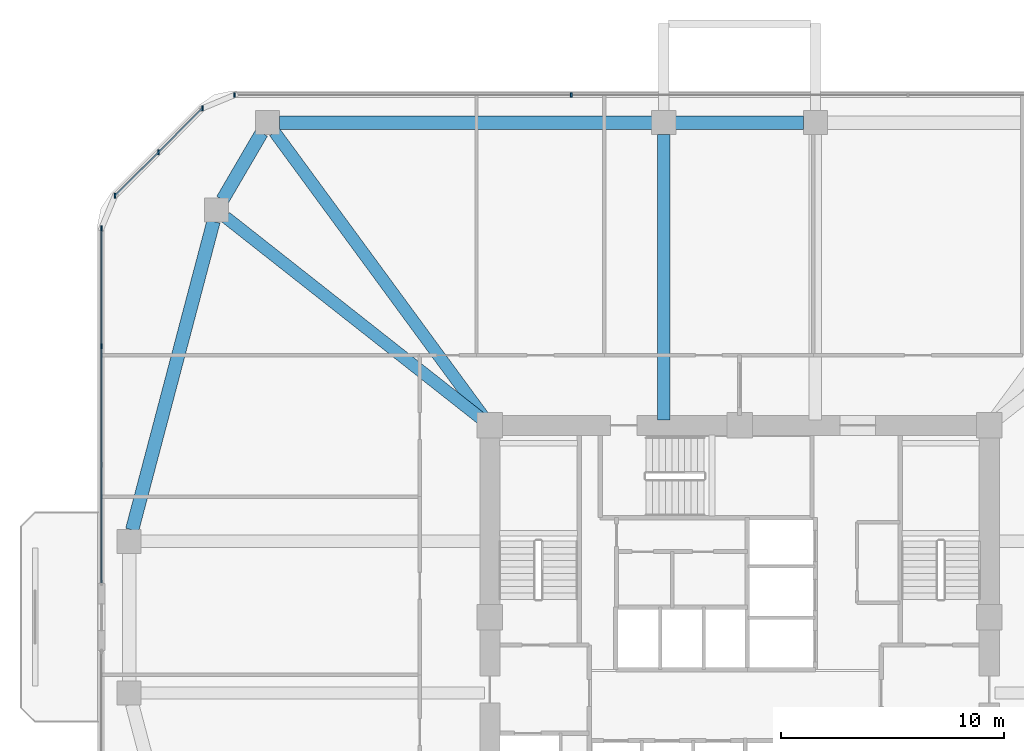
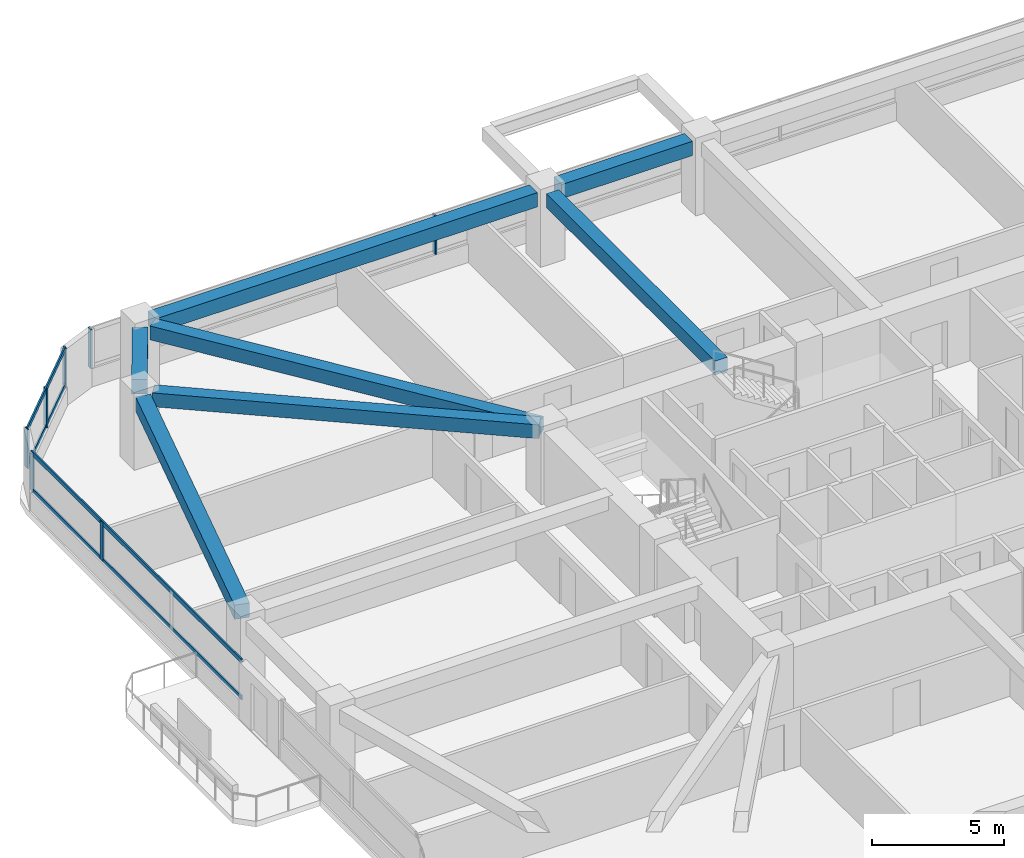
# One storey, part 6 of 15: 11 members, 7 beams, 3 elements without a shape of their own.
"""IFC4 building model written with IfcOpenShell, lengths in metres."""

import ifcopenshell
import ifcopenshell.guid

model = None  # the IFC model being written
_history = None  # IfcOwnerHistory: only IFC2X3 demands one
_inside = {}  # id of a spatial element -> (the spatial element, [elements in it])
_under = {}  # id of a project, library or spatial element -> (it, [spatial elements below it])
_declared = {}  # id of a project -> (the project, [libraries it declares])
_typed = {}  # id of a type object -> (the type object, [elements of that type])
_made_of = {}  # id of a material, layer set ... -> (it, [elements and type objects made of it])


def new_model(schema):
    """Start an empty IFC model of exactly this schema.

    Asked for "IFC4X3", IfcOpenShell would pick the latest addendum, in which some entities
    have other attributes; the version numbers below select the first issue.
    IFC2X3 requires an IfcOwnerHistory on every rooted entity: one is made here for all.
    """
    global model, _history
    if schema == "IFC4X3":
        model = ifcopenshell.file(schema_version=(4, 3, 0, 0))
    else:
        model = ifcopenshell.file(schema=schema)
    _inside.clear()
    _under.clear()
    _declared.clear()
    _typed.clear()
    _made_of.clear()
    _history = None
    if model.schema == "IFC2X3":
        org = make("IfcOrganization", Name="unknown")
        user = make(
            "IfcPersonAndOrganization",
            ThePerson=make("IfcPerson", FamilyName="unknown"),
            TheOrganization=org,
        )
        app = make(
            "IfcApplication",
            ApplicationDeveloper=org,
            Version="unknown",
            ApplicationFullName="unknown",
            ApplicationIdentifier="unknown",
        )
        _history = make(
            "IfcOwnerHistory",
            OwningUser=user,
            OwningApplication=app,
            ChangeAction="ADDED",
            CreationDate=0,
        )
    return model


def make(cls, **values):
    """One entity of the class cls with the attributes given. An attribute that is None is left unset."""
    return model.create_entity(
        cls, **{name: value for name, value in values.items() if value is not None}
    )


def rooted(cls, **values):
    """An entity with a GlobalId (a new one), such as an element, a storey or a relation."""
    return make(cls, GlobalId=ifcopenshell.guid.new(), OwnerHistory=_history, **values)


def si_unit(unit_type, name, prefix=None):
    """IfcSIUnit, for example si_unit("LENGTHUNIT", "METRE", prefix="MILLI")."""
    return make("IfcSIUnit", UnitType=unit_type, Prefix=prefix, Name=name)


def derived_unit(unit_type, elements):
    """IfcDerivedUnit: a product of units, each with its exponent."""
    return make(
        "IfcDerivedUnit",
        Elements=[
            make("IfcDerivedUnitElement", Unit=unit, Exponent=power)
            for unit, power in elements
        ],
        UnitType=unit_type,
    )


def assignment(units):
    """IfcUnitAssignment: the units of a project."""
    return None if units is None else make("IfcUnitAssignment", Units=units)


def point(xyz):
    """IfcCartesianPoint."""
    return None if xyz is None else make("IfcCartesianPoint", Coordinates=xyz)


def direction(xyz):
    """IfcDirection."""
    return None if xyz is None else make("IfcDirection", DirectionRatios=xyz)


def frame(location, z_axis=None, x_axis=None):
    """IfcAxis2Placement3D, a coordinate frame: its origin and axes. An axis left out is left unset."""
    return make(
        "IfcAxis2Placement3D",
        Location=point(location),
        Axis=direction(z_axis),
        RefDirection=direction(x_axis),
    )


def frame_2d(location, x_axis=None):
    """IfcAxis2Placement2D, a coordinate frame in the plane: its origin and x axis."""
    return make(
        "IfcAxis2Placement2D", Location=point(location), RefDirection=direction(x_axis)
    )


def origin():
    """The frame at (0, 0, 0) with its axes left unset."""
    return frame((0.0, 0.0, 0.0))


def origin_2d():
    """The frame at (0, 0) in the plane with its x axis left unset."""
    return frame_2d((0.0, 0.0))


def place(relative_to, where):
    """IfcLocalPlacement: puts the frame where relative to a parent placement (None: the world)."""
    return make(
        "IfcLocalPlacement", PlacementRelTo=relative_to, RelativePlacement=where
    )


def context(
    kind, dimensions, precision=None, world=None, true_north=None, identifier=None
):
    """IfcGeometricRepresentationContext, for example the 3D "Model" context."""
    return make(
        "IfcGeometricRepresentationContext",
        ContextIdentifier=identifier,
        ContextType=kind,
        CoordinateSpaceDimension=dimensions,
        Precision=precision,
        WorldCoordinateSystem=world,
        TrueNorth=true_north,
    )


def subcontext(parent, identifier, kind, view, scale=None):
    """IfcGeometricRepresentationSubContext, for example "Body" below "Model"."""
    return make(
        "IfcGeometricRepresentationSubContext",
        ContextIdentifier=identifier,
        ContextType=kind,
        ParentContext=parent,
        TargetScale=scale,
        TargetView=view,
    )


def project(units=None, contexts=None):
    """IfcProject with its units and contexts."""
    return rooted(
        "IfcProject",
        Name="project",
        RepresentationContexts=contexts,
        UnitsInContext=assignment(units),
    )


def spatial(cls, under=None, at=None, **own):
    """A site, building, storey or space (cls), placed at a placement, below another one or the project."""
    s = rooted(cls, ObjectPlacement=at, **own)
    if under is not None:
        _under.setdefault(under.id(), (under, []))[1].append(s)
    return s


def profile(cls, at=None, kind="AREA", **sizes):
    """A parametric profile (cls). Its sizes go by their IFC names, for example OverallWidth=200.0."""
    return make(cls, ProfileType=kind, Position=at, **sizes)


def rectangle(**sizes):
    """IfcRectangleProfileDef."""
    return profile("IfcRectangleProfileDef", **sizes)


def extrude(swept, where, along, depth):
    """IfcExtrudedAreaSolid: the profile swept, set in the frame where, extruded along a direction by depth."""
    return make(
        "IfcExtrudedAreaSolid",
        SweptArea=swept,
        Position=where,
        ExtrudedDirection=direction(along),
        Depth=depth,
    )


def shape(context_of_items, identifier, shape_type, items):
    """IfcShapeRepresentation: the items that make up one representation, for example the "Body"."""
    return make(
        "IfcShapeRepresentation",
        ContextOfItems=context_of_items,
        RepresentationIdentifier=identifier,
        RepresentationType=shape_type,
        Items=items,
    )


def material(Name=None, Category=None):
    """IfcMaterial."""
    return make("IfcMaterial", Name=Name, Category=Category)


def material_profile(
    of_material, cross_section, Name=None, Category=None, Priority=None
):
    """IfcMaterialProfile: a cross section and its material."""
    return make(
        "IfcMaterialProfile",
        Name=Name,
        Material=of_material,
        Profile=cross_section,
        Priority=Priority,
        Category=Category,
    )


def profile_set(profiles, Name=None, composite=None):
    """IfcMaterialProfileSet."""
    return make(
        "IfcMaterialProfileSet",
        Name=Name,
        MaterialProfiles=profiles,
        CompositeProfile=composite,
    )


def made_of(thing, what):
    """Note that an element or type object is made of a material, layer set ...; save() writes the relation."""
    if what is not None:
        _made_of.setdefault(what.id(), (what, []))[1].append(thing)
    return thing


def type_object(cls, material=None, **own):
    """A type object (cls), such as IfcWallType, which elements share."""
    return made_of(rooted(cls, **own), material)


def element(
    cls,
    number,
    at=None,
    inside=None,
    cuts=None,
    type_object=None,
    material=None,
    context=None,
    identifier="Body",
    shape_type=None,
    held_by="IfcProductDefinitionShape",
    body=None,
    shapes=None,
    **own,
):
    """One element of the class cls, such as IfcWall. Its Tag is "e" and its number.

    at: its placement. inside: the storey or other place that contains it. cuts: it is an
    opening in that element (IfcRelVoidsElement). A single representation is given by context,
    identifier, shape_type and body (its items); several are given by shapes. held_by: the class
    of the entity that holds the representations. save() writes the other relations.
    """
    e = rooted(cls, Tag="e%d" % number, ObjectPlacement=at, **own)
    if body is not None:
        shapes = [shape(context, identifier, shape_type, body)]
    if shapes is not None:
        e.Representation = make(held_by, Representations=shapes)
    if inside is not None:
        _inside.setdefault(inside.id(), (inside, []))[1].append(e)
    if cuts is not None:
        rooted(
            "IfcRelVoidsElement", RelatingBuildingElement=cuts, RelatedOpeningElement=e
        )
    if type_object is not None:
        _typed.setdefault(type_object.id(), (type_object, []))[1].append(e)
    return made_of(e, material)


def aggregate(whole, parts):
    """IfcRelAggregates: a whole, such as a stair, and the parts it consists of."""
    return rooted("IfcRelAggregates", RelatingObject=whole, RelatedObjects=parts)


def save(model, path):
    """Write the relations noted so far, then the file.

    IfcRelAggregates (storeys below a building ...), IfcRelContainedInSpatialStructure (elements
    in a storey), IfcRelDefinesByType, IfcRelAssociatesMaterial and IfcRelDeclares: one each for
    every whole, place, type object, material and project.
    """
    for whole, parts in _under.values():
        aggregate(whole, parts)
    for where, things in _inside.values():
        rooted(
            "IfcRelContainedInSpatialStructure",
            RelatedElements=things,
            RelatingStructure=where,
        )
    for kind, things in _typed.values():
        rooted("IfcRelDefinesByType", RelatedObjects=things, RelatingType=kind)
    for what, things in _made_of.values():
        rooted("IfcRelAssociatesMaterial", RelatedObjects=things, RelatingMaterial=what)
    for by, libraries in _declared.values():
        rooted("IfcRelDeclares", RelatingContext=by, RelatedDefinitions=libraries)
    model.write(path)


model = new_model("IFC4")

# Units and contexts
model_context = context("Model", 3, precision=1e-05, world=origin(), true_north=direction((0.0, 1.0)))
body_context = subcontext(model_context, "Body", "Model", "MODEL_VIEW")
ifc_project = project(units=[si_unit("LENGTHUNIT", "METRE"), si_unit("AREAUNIT", "SQUARE_METRE"), si_unit("VOLUMEUNIT", "CUBIC_METRE"), si_unit("PLANEANGLEUNIT", "RADIAN"), si_unit("MASSUNIT", "GRAM", prefix="KILO"), derived_unit("THERMALTRANSMITTANCEUNIT", [(si_unit("POWERUNIT", "WATT"), 1), (si_unit("LENGTHUNIT", "METRE"), -2), (si_unit("THERMODYNAMICTEMPERATUREUNIT", "KELVIN"), -1)])], contexts=[model_context])

# Site, building, storey
site_placement = place(None, origin())
site = spatial("IfcSite", under=ifc_project, at=site_placement, CompositionType="ELEMENT")
building_placement = place(site_placement, origin())
building = spatial("IfcBuilding", under=site, at=building_placement, Name="Koralith Skygarden Medical Center", CompositionType="ELEMENT")
storey_placement = place(building_placement, frame((0.0, 0.0, 56.340087890625)))
storey = spatial("IfcBuildingStorey", under=building, at=storey_placement, Name="L14", CompositionType="ELEMENT", Elevation=56.340087890625)

# Curtain wall, members
ifc_material_1 = material(Name="Clear Laminated Glass", Category="glass")
curtain_wall_type = type_object("IfcCurtainWallType", Name="CW-2 Zone 1 Hurricane Unitised Curtain Wall", PredefinedType="NOTDEFINED", material=ifc_material_1)
curtain_wall_1_placement = place(storey_placement, origin())
curtain_wall_1 = element("IfcCurtainWall", 1, at=curtain_wall_1_placement, inside=storey, type_object=curtain_wall_type, Name="Curtain Wall CW-L14-N", PredefinedType="NOTDEFINED")
ifc_material_2 = material(Name="Aluminium 6063-T6", Category="aluminium")
ifc_material_profile_1 = material_profile(ifc_material_2, rectangle(XDim=0.071044921875, YDim=0.219970703125, at=origin_2d()), Name="MUL71X220")
ifc_profile_set_1 = profile_set([ifc_material_profile_1], Name="Aluminium 6063-T6")
member_type_1 = type_object("IfcMemberType", Name="CW-2 Extruded Mullion 71x220", PredefinedType="MULLION", material=ifc_profile_set_1)
member_1_placement = place(storey_placement, frame((29.451904296875, 49.320068359375, 0.849853515625), z_axis=(0.0, 0.0, 1.0), x_axis=(1.0, 0.0, 0.0)))
member_1 = element("IfcMember", 2, at=member_1_placement, type_object=member_type_1, Name="CW-L14-N Mullion 3", PredefinedType="MULLION", context=body_context, shape_type="SweptSolid", body=[
    extrude(rectangle(XDim=0.071044921875, YDim=0.219970703125, at=origin_2d()), origin(), (0.0, 0.0, 1.0), 1.800048828125),
])
member_2_placement = place(storey_placement, frame((14.35498046875, 49.320068359375, 0.849853515625), z_axis=(0.0, 0.0, 1.0), x_axis=(1.0, 0.0, 0.0)))
member_2 = element("IfcMember", 3, at=member_2_placement, type_object=member_type_1, Name="CW-L14-N Mullion 4", PredefinedType="MULLION", context=body_context, shape_type="SweptSolid", body=[
    extrude(rectangle(XDim=0.071044921875, YDim=0.219970703125, at=origin_2d()), origin(), (0.0, 0.0, 1.0), 1.800048828125),
])
aggregate(curtain_wall_1, [member_1, member_2])

curtain_wall_2_placement = place(storey_placement, origin())
curtain_wall_2 = element("IfcCurtainWall", 4, at=curtain_wall_2_placement, inside=storey, type_object=curtain_wall_type, Name="Curtain Wall CW-L14-NW", PredefinedType="NOTDEFINED")
member_3_placement = place(storey_placement, frame((12.904052734375, 48.718994140625, 0.849853515625), z_axis=(0.0, 0.0, 1.0), x_axis=(1.0, 0.0, 0.0)))
member_3 = element("IfcMember", 5, at=member_3_placement, type_object=member_type_1, Name="CW-L14-NW Mullion 1", PredefinedType="MULLION", context=body_context, shape_type="SweptSolid", body=[
    extrude(rectangle(XDim=0.071044921875, YDim=0.219970703125, at=origin_2d()), origin(), (0.0, 0.0, 1.0), 1.800048828125),
])
member_4_placement = place(storey_placement, frame((10.94189453125, 46.758056640625, 0.849853515625), z_axis=(0.0, 0.0, 1.0), x_axis=(1.0, 0.0, 0.0)))
member_4 = element("IfcMember", 6, at=member_4_placement, type_object=member_type_1, Name="CW-L14-NW Mullion 2", PredefinedType="MULLION", context=body_context, shape_type="SweptSolid", body=[
    extrude(rectangle(XDim=0.071044921875, YDim=0.219970703125, at=origin_2d()), origin(), (0.0, 0.0, 1.0), 1.800048828125),
])
member_5_placement = place(storey_placement, frame((8.98095703125, 44.7958984375, 0.849853515625), z_axis=(0.0, 0.0, 1.0), x_axis=(1.0, 0.0, 0.0)))
member_5 = element("IfcMember", 7, at=member_5_placement, type_object=member_type_1, Name="CW-L14-NW Mullion 3", PredefinedType="MULLION", context=body_context, shape_type="SweptSolid", body=[
    extrude(rectangle(XDim=0.071044921875, YDim=0.219970703125, at=origin_2d()), origin(), (0.0, 0.0, 1.0), 1.800048828125),
])

curtain_wall_3_placement = place(storey_placement, origin())
curtain_wall_3 = element("IfcCurtainWall", 8, at=curtain_wall_3_placement, inside=storey, type_object=curtain_wall_type, Name="Curtain Wall CW-L14-W-L", PredefinedType="NOTDEFINED")
member_6_placement = place(storey_placement, frame((8.3798828125, 43.344970703125, 0.849853515625), z_axis=(0.0, 0.0, 1.0), x_axis=(1.0, 0.0, 0.0)))
member_6 = element("IfcMember", 9, at=member_6_placement, type_object=member_type_1, Name="CW-L14-W-L Mullion 1", PredefinedType="MULLION", context=body_context, shape_type="SweptSolid", body=[
    extrude(rectangle(XDim=0.071044921875, YDim=0.219970703125, at=origin_2d()), origin(), (0.0, 0.0, 1.0), 1.800048828125),
])
member_7_placement = place(storey_placement, frame((8.3798828125, 38.04296875, 0.849853515625), z_axis=(0.0, 0.0, 1.0), x_axis=(1.0, 0.0, 0.0)))
member_7 = element("IfcMember", 10, at=member_7_placement, type_object=member_type_1, Name="CW-L14-W-L Mullion 2", PredefinedType="MULLION", context=body_context, shape_type="SweptSolid", body=[
    extrude(rectangle(XDim=0.071044921875, YDim=0.219970703125, at=origin_2d()), origin(), (0.0, 0.0, 1.0), 1.800048828125),
])

# Member
ifc_material_profile_2 = material_profile(ifc_material_2, rectangle(XDim=0.06591796875, YDim=0.197998046875, at=origin_2d()), Name="TRN66X198")
ifc_profile_set_2 = profile_set([ifc_material_profile_2], Name="Aluminium 6063-T6")
member_type_2 = type_object("IfcMemberType", Name="CW-2 Thermal Transom 66x198", PredefinedType="USERDEFINED", material=ifc_profile_set_2)
member_8_placement = place(storey_placement, frame((12.904052734375, 48.718994140625, 0.89990234375), z_axis=(-0.707106781187, -0.707106781187, 0.0), x_axis=(0.707106781187, -0.707106781187, 0.0)))
member_8 = element("IfcMember", 11, at=member_8_placement, type_object=member_type_2, Name="CW-L14-NW Transom 1", ObjectType="TRANSOM", PredefinedType="USERDEFINED", context=body_context, shape_type="SweptSolid", body=[
    extrude(rectangle(XDim=0.06591796875, YDim=0.197998046875, at=origin_2d()), origin(), (0.0, 0.0, 1.0), 5.548095703125),
])

member_9_placement = place(storey_placement, frame((12.904052734375, 48.718994140625, 2.599853515625), z_axis=(-0.707106781187, -0.707106781187, 0.0), x_axis=(0.707106781187, -0.707106781187, 0.0)))
member_9 = element("IfcMember", 12, at=member_9_placement, type_object=member_type_2, Name="CW-L14-NW Transom 2", ObjectType="TRANSOM", PredefinedType="USERDEFINED", context=body_context, shape_type="SweptSolid", body=[
    extrude(rectangle(XDim=0.06591796875, YDim=0.197998046875, at=origin_2d()), origin(), (0.0, 0.0, 1.0), 5.548095703125),
])

aggregate(curtain_wall_2, [member_3, member_4, member_5, member_8, member_9])

member_10_placement = place(storey_placement, frame((8.3798828125, 43.344970703125, 0.89990234375), z_axis=(0.0, -1.0, 0.0), x_axis=(1.0, 0.0, 0.0)))
member_10 = element("IfcMember", 13, at=member_10_placement, type_object=member_type_2, Name="CW-L14-W-L Transom 1", ObjectType="TRANSOM", PredefinedType="USERDEFINED", context=body_context, shape_type="SweptSolid", body=[
    extrude(rectangle(XDim=0.06591796875, YDim=0.197998046875, at=origin_2d()), origin(), (0.0, 0.0, 1.0), 15.905029296875),
])

member_11_placement = place(storey_placement, frame((8.3798828125, 43.344970703125, 2.599853515625), z_axis=(0.0, -1.0, 0.0), x_axis=(1.0, 0.0, 0.0)))
member_11 = element("IfcMember", 14, at=member_11_placement, type_object=member_type_2, Name="CW-L14-W-L Transom 2", ObjectType="TRANSOM", PredefinedType="USERDEFINED", context=body_context, shape_type="SweptSolid", body=[
    extrude(rectangle(XDim=0.06591796875, YDim=0.197998046875, at=origin_2d()), origin(), (0.0, 0.0, 1.0), 15.905029296875),
])

aggregate(curtain_wall_3, [member_6, member_7, member_10, member_11])

# Beams
ifc_material_3 = material(Name="Concrete C45/55", Category="concrete")
ifc_material_profile_3 = material_profile(ifc_material_3, rectangle(XDim=0.550048828125, YDim=0.639892578125, at=origin_2d()), Name="RCB550X640")
ifc_profile_set_3 = profile_set([ifc_material_profile_3], Name="Concrete C45/55")
beam_type_1 = type_object("IfcBeamType", Name="Radial Collector Beam RCB550X640", PredefinedType="BEAM", material=ifc_profile_set_3)
beam_1_placement = place(storey_placement, frame((33.60009765625, 34.75, 3.0), z_axis=(0.0, 1.0, 0.0), x_axis=(-1.0, 0.0, 0.0)))
element("IfcBeam", 15, at=beam_1_placement, inside=storey, type_object=beam_type_1, Name="L14 Radial Collector Beam RB-13", PredefinedType="BEAM", context=body_context, shape_type="SweptSolid", body=[
    extrude(rectangle(XDim=0.550048828125, YDim=0.639892578125, at=origin_2d()), origin(), (0.0, 0.0, 1.0), 12.800048828125),
])
beam_2_placement = place(storey_placement, frame((25.652099609375, 34.701904296875, 3.0), z_axis=(-0.591710803277, 0.806150311843, 0.0), x_axis=(-0.806150311843, -0.591710803277, 0.0)))
element("IfcBeam", 16, at=beam_2_placement, inside=storey, type_object=beam_type_1, Name="L14 Radial Collector Beam RB-14", PredefinedType="BEAM", context=body_context, shape_type="SweptSolid", body=[
    extrude(rectangle(XDim=0.550048828125, YDim=0.639892578125, at=origin_2d()), origin(), (0.0, 0.0, 1.0), 16.0654296875),
])
beam_3_placement = place(storey_placement, frame((25.60400390625, 34.655029296875, 3.0), z_axis=(-0.785497250365, 0.618865146594, 0.0), x_axis=(-0.618865146594, -0.785497250365, 0.0)))
element("IfcBeam", 17, at=beam_3_placement, inside=storey, type_object=beam_type_1, Name="L14 Radial Collector Beam RB-15", PredefinedType="BEAM", context=body_context, shape_type="SweptSolid", body=[
    extrude(rectangle(XDim=0.550048828125, YDim=0.639892578125, at=origin_2d()), origin(), (0.0, 0.0, 1.0), 14.828857421875),
])
ifc_material_profile_4 = material_profile(ifc_material_3, rectangle(XDim=0.60009765625, YDim=0.659912109375, at=origin_2d()), Name="RCB600X660")
ifc_profile_set_4 = profile_set([ifc_material_profile_4], Name="Concrete C45/55")
beam_type_2 = type_object("IfcBeamType", Name="Zone 1 Spandrel Beam RCB600X660", PredefinedType="SPANDREL", material=ifc_profile_set_4)
beam_4_placement = place(storey_placement, frame((39.8701171875, 48.080078125, 2.989990234375), z_axis=(-1.0, 0.0, 0.0), x_axis=(0.0, -1.0, 0.0)))
element("IfcBeam", 18, at=beam_4_placement, inside=storey, type_object=beam_type_2, Name="L14 Perimeter Spandrel Beam SP-12", PredefinedType="SPANDREL", context=body_context, shape_type="SweptSolid", body=[
    extrude(rectangle(XDim=0.60009765625, YDim=0.659912109375, at=origin_2d()), origin(), (0.0, 0.0, 1.0), 5.740234375),
])
beam_5_placement = place(storey_placement, frame((33.070068359375, 48.080078125, 2.989990234375), z_axis=(-1.0, 0.0, 0.0), x_axis=(0.0, -1.0, 0.0)))
element("IfcBeam", 19, at=beam_5_placement, inside=storey, type_object=beam_type_2, Name="L14 Perimeter Spandrel Beam SP-13", PredefinedType="SPANDREL", context=body_context, shape_type="SweptSolid", body=[
    extrude(rectangle(XDim=0.60009765625, YDim=0.659912109375, at=origin_2d()), origin(), (0.0, 0.0, 1.0), 16.7080078125),
])
beam_6_placement = place(storey_placement, frame((15.56396484375, 47.6220703125, 2.989990234375), z_axis=(-0.504608092658, -0.863348523381, 0.0), x_axis=(0.863348523381, -0.504608092658, 0.0)))
element("IfcBeam", 20, at=beam_6_placement, inside=storey, type_object=beam_type_2, Name="L14 Perimeter Spandrel Beam SP-14", PredefinedType="SPANDREL", context=body_context, shape_type="SweptSolid", body=[
    extrude(rectangle(XDim=0.60009765625, YDim=0.659912109375, at=origin_2d()), origin(), (0.0, 0.0, 1.0), 3.479736328125),
])
beam_7_placement = place(storey_placement, frame((13.405029296875, 43.64794921875, 2.989990234375), z_axis=(-0.255088684842, -0.966917660851, 0.0), x_axis=(0.966917660851, -0.255088684842, 0.0)))
element("IfcBeam", 21, at=beam_7_placement, inside=storey, type_object=beam_type_2, Name="L14 Perimeter Spandrel Beam SP-15", PredefinedType="SPANDREL", context=body_context, shape_type="SweptSolid", body=[
    extrude(rectangle(XDim=0.60009765625, YDim=0.659912109375, at=origin_2d()), origin(), (0.0, 0.0, 1.0), 14.309326171875),
])

save(model, "model.ifc")
